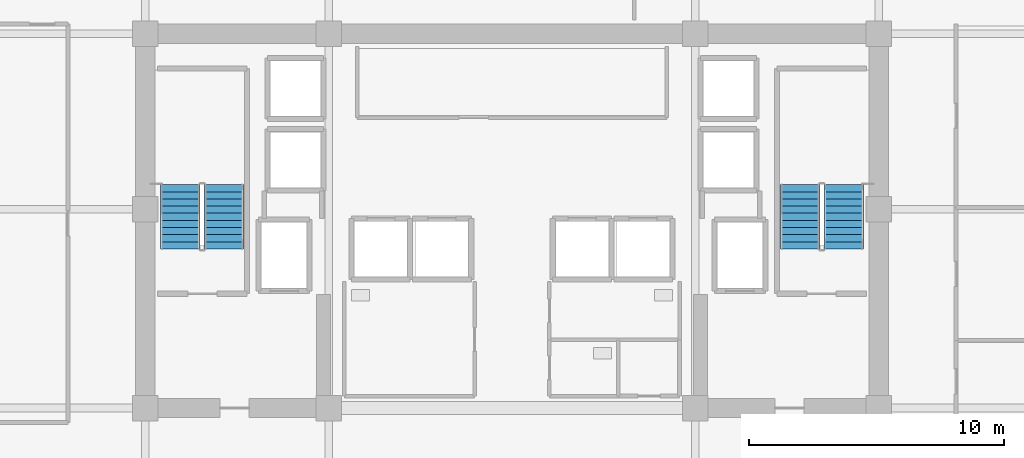
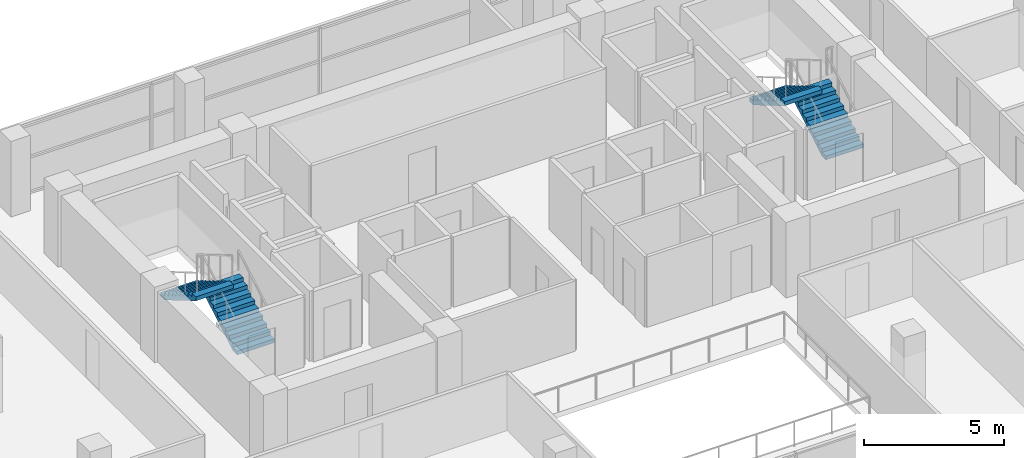
# One storey, part 20 of 25: 4 stair flights, 2 elements without a shape of their own.
"""IFC4 building model written with IfcOpenShell, lengths in metres."""

from ifc_helpers import new_model, si_unit, direction, frame, origin, place, context, subcontext, project, spatial, polyline, outline, extrude, material, type_object, element, aggregate, save


model = new_model("IFC4")

# Units and contexts
model_context = context("Model", 3, precision=1e-05, world=origin(), true_north=direction((0.0, 1.0)))
body_context = subcontext(model_context, "Body", "Model", "MODEL_VIEW")
ifc_project = project(units=[si_unit("LENGTHUNIT", "METRE"), si_unit("AREAUNIT", "SQUARE_METRE"), si_unit("VOLUMEUNIT", "CUBIC_METRE"), si_unit("PLANEANGLEUNIT", "RADIAN"), si_unit("MASSUNIT", "GRAM", prefix="KILO")], contexts=[model_context])

# Site, building, storey
site_placement = place(None, origin())
site = spatial("IfcSite", under=ifc_project, at=site_placement, CompositionType="ELEMENT")
building_placement = place(site_placement, origin())
building = spatial("IfcBuilding", under=site, at=building_placement, Name="Zarnakvel Exchange Tower", CompositionType="ELEMENT")
storey_placement = place(building_placement, frame((0.0, 0.0, 126.39990234375)))
storey = spatial("IfcBuildingStorey", under=building, at=storey_placement, Name="L35", CompositionType="ELEMENT", Elevation=126.39990234375)

# Stair, stair flights
ifc_material = material(Name="Concrete C40/50", Category="concrete")
stair_type = type_object("IfcStairType", Name="STR-01", PredefinedType="HALF_TURN_STAIR", material=ifc_material)
stair_1_placement = place(storey_placement, origin())
stair_1 = element("IfcStair", 1, at=stair_1_placement, inside=storey, type_object=stair_type, Name="L35 Protected Core Exit Stair ST-01", PredefinedType="HALF_TURN_STAIR")
stair_flight_type = type_object("IfcStairFlightType", Name="FLT-01", PredefinedType="STRAIGHT", material=ifc_material)
stair_flight_1_placement = place(storey_placement, frame((-11.31494140625, 5.050048828125, 0.0), z_axis=(0.0, 0.0, 1.0), x_axis=(0.0, 1.0, 0.0)))
stair_flight_1 = element("IfcStairFlight", 2, at=stair_flight_1_placement, type_object=stair_flight_type, Name="ST-01 flight 1", NumberOfRisers=10, NumberOfTreads=9, PredefinedType="STRAIGHT", RiserHeight=0.165, TreadLength=0.28, context=body_context, shape_type="SweptSolid", body=[
    extrude(outline(polyline([(0.0, 0.0), (0.0, 0.1650390625), (0.280029296875, 0.1650390625), (0.280029296875, 0.330078125), (0.56005859375, 0.330078125), (0.56005859375, 0.4951171875), (0.840087890625, 0.4951171875), (0.840087890625, 0.659912109375), (1.1201171875, 0.659912109375), (1.1201171875, 0.824951171875), (1.39990234375, 0.824951171875), (1.39990234375, 0.989990234375), (1.679931640625, 0.989990234375), (1.679931640625, 1.155029296875), (1.9599609375, 1.155029296875), (1.9599609375, 1.320068359375), (2.239990234375, 1.320068359375), (2.239990234375, 1.485107421875), (2.52001953125, 1.485107421875), (2.52001953125, 1.64990234375), (2.52001953125, 1.31103515625), (0.295166015625, 0.0), (0.0, 0.0)])), frame((0.0, 0.77490234375, 0.0), z_axis=(0.0, -1.0, 0.0), x_axis=(1.0, 0.0, 0.0)), (0.0, 0.0, 1.0), 1.550048828125),
])
stair_flight_2_placement = place(storey_placement, frame((-13.02490234375, 7.570068359375, 1.650146484375), z_axis=(0.0, 0.0, 1.0), x_axis=(0.0, -1.0, 0.0)))
stair_flight_2 = element("IfcStairFlight", 3, at=stair_flight_2_placement, type_object=stair_flight_type, Name="ST-01 flight 2", NumberOfRisers=10, NumberOfTreads=9, PredefinedType="STRAIGHT", RiserHeight=0.165, TreadLength=0.28, context=body_context, shape_type="SweptSolid", body=[
    extrude(outline(polyline([(0.0, 0.0), (0.0, 0.1650390625), (0.280029296875, 0.1650390625), (0.280029296875, 0.330078125), (0.56005859375, 0.330078125), (0.56005859375, 0.4951171875), (0.840087890625, 0.4951171875), (0.840087890625, 0.659912109375), (1.1201171875, 0.659912109375), (1.1201171875, 0.824951171875), (1.39990234375, 0.824951171875), (1.39990234375, 0.989990234375), (1.679931640625, 0.989990234375), (1.679931640625, 1.155029296875), (1.9599609375, 1.155029296875), (1.9599609375, 1.320068359375), (2.239990234375, 1.320068359375), (2.239990234375, 1.485107421875), (2.52001953125, 1.485107421875), (2.52001953125, 1.64990234375), (2.52001953125, 1.31103515625), (0.295166015625, 0.0), (0.0, 0.0)])), frame((0.0, 0.77490234375, 0.0), z_axis=(0.0, -1.0, 0.0), x_axis=(1.0, 0.0, 0.0)), (0.0, 0.0, 1.0), 1.550048828125),
])
aggregate(stair_1, [stair_flight_1, stair_flight_2])

stair_2_placement = place(storey_placement, origin())
stair_2 = element("IfcStair", 4, at=stair_2_placement, inside=storey, type_object=stair_type, Name="L35 Protected Core Exit Stair ST-02", PredefinedType="HALF_TURN_STAIR")
stair_flight_3_placement = place(storey_placement, frame((13.02490234375, 5.050048828125, 0.0), z_axis=(0.0, 0.0, 1.0), x_axis=(0.0, 1.0, 0.0)))
stair_flight_3 = element("IfcStairFlight", 5, at=stair_flight_3_placement, type_object=stair_flight_type, Name="ST-02 flight 1", NumberOfRisers=10, NumberOfTreads=9, PredefinedType="STRAIGHT", RiserHeight=0.165, TreadLength=0.28, context=body_context, shape_type="SweptSolid", body=[
    extrude(outline(polyline([(0.0, 0.0), (0.0, 0.1650390625), (0.280029296875, 0.1650390625), (0.280029296875, 0.330078125), (0.56005859375, 0.330078125), (0.56005859375, 0.4951171875), (0.840087890625, 0.4951171875), (0.840087890625, 0.659912109375), (1.1201171875, 0.659912109375), (1.1201171875, 0.824951171875), (1.39990234375, 0.824951171875), (1.39990234375, 0.989990234375), (1.679931640625, 0.989990234375), (1.679931640625, 1.155029296875), (1.9599609375, 1.155029296875), (1.9599609375, 1.320068359375), (2.239990234375, 1.320068359375), (2.239990234375, 1.485107421875), (2.52001953125, 1.485107421875), (2.52001953125, 1.64990234375), (2.52001953125, 1.31103515625), (0.295166015625, 0.0), (0.0, 0.0)])), frame((0.0, 0.77490234375, 0.0), z_axis=(0.0, -1.0, 0.0), x_axis=(1.0, 0.0, 0.0)), (0.0, 0.0, 1.0), 1.550048828125),
])
stair_flight_4_placement = place(storey_placement, frame((11.31494140625, 7.570068359375, 1.650146484375), z_axis=(0.0, 0.0, 1.0), x_axis=(0.0, -1.0, 0.0)))
stair_flight_4 = element("IfcStairFlight", 6, at=stair_flight_4_placement, type_object=stair_flight_type, Name="ST-02 flight 2", NumberOfRisers=10, NumberOfTreads=9, PredefinedType="STRAIGHT", RiserHeight=0.165, TreadLength=0.28, context=body_context, shape_type="SweptSolid", body=[
    extrude(outline(polyline([(0.0, 0.0), (0.0, 0.1650390625), (0.280029296875, 0.1650390625), (0.280029296875, 0.330078125), (0.56005859375, 0.330078125), (0.56005859375, 0.4951171875), (0.840087890625, 0.4951171875), (0.840087890625, 0.659912109375), (1.1201171875, 0.659912109375), (1.1201171875, 0.824951171875), (1.39990234375, 0.824951171875), (1.39990234375, 0.989990234375), (1.679931640625, 0.989990234375), (1.679931640625, 1.155029296875), (1.9599609375, 1.155029296875), (1.9599609375, 1.320068359375), (2.239990234375, 1.320068359375), (2.239990234375, 1.485107421875), (2.52001953125, 1.485107421875), (2.52001953125, 1.64990234375), (2.52001953125, 1.31103515625), (0.295166015625, 0.0), (0.0, 0.0)])), frame((0.0, 0.77490234375, 0.0), z_axis=(0.0, -1.0, 0.0), x_axis=(1.0, 0.0, 0.0)), (0.0, 0.0, 1.0), 1.550048828125),
])
aggregate(stair_2, [stair_flight_3, stair_flight_4])

save(model, "model.ifc")
